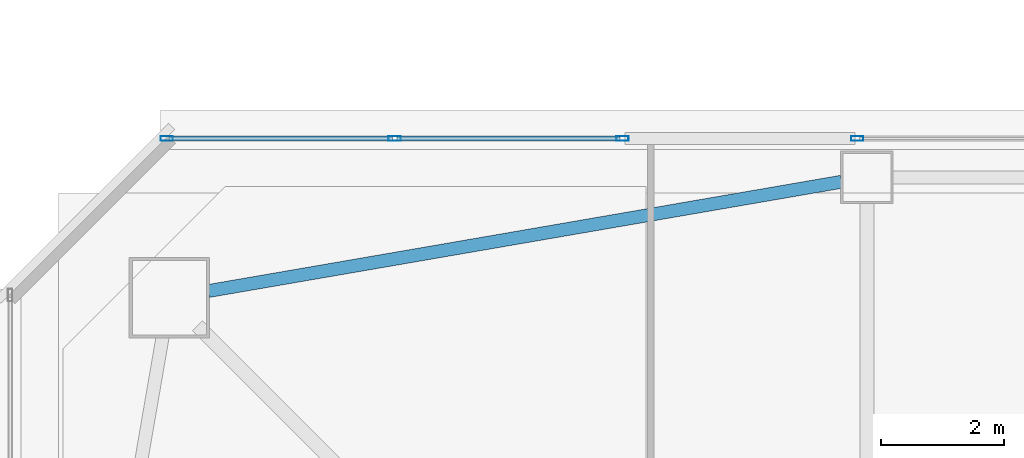
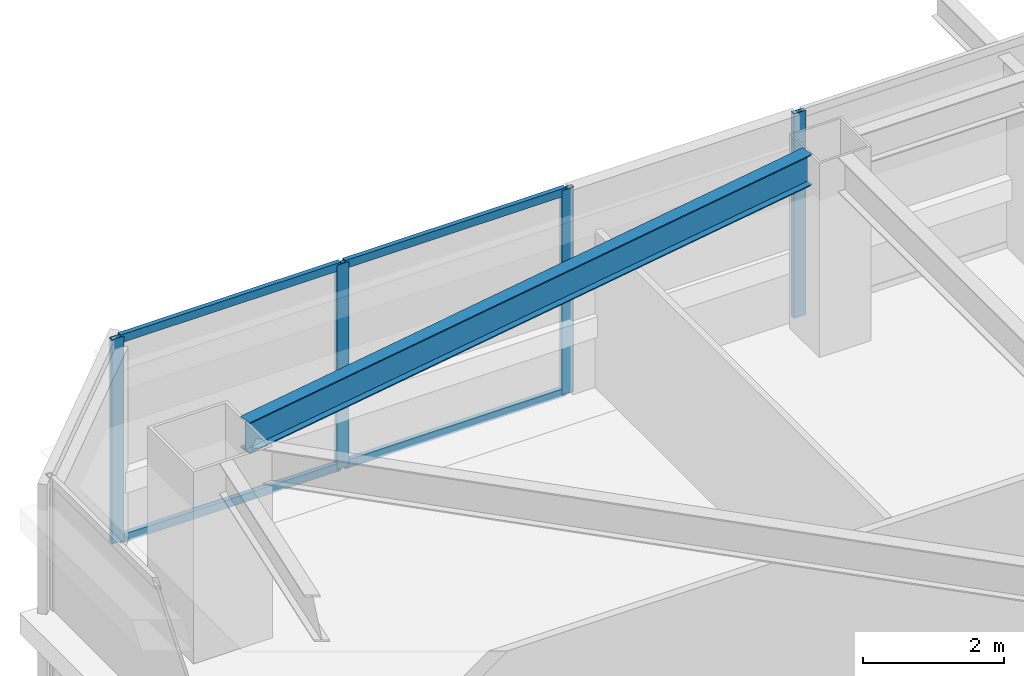
# One storey, part 12 of 46: 8 members, 1 beam, 2 elements without a shape of their own.
"""IFC4 building model written with IfcOpenShell, lengths in metres."""

from ifc_helpers import new_model, si_unit, direction, frame, origin, origin_2d, place, context, subcontext, project, spatial, hollow_rectangle, i_section, extrude, material, material_profile, profile_set, type_object, element, aggregate, save


model = new_model("IFC4")

# Units and contexts
model_context = context("Model", 3, precision=1e-05, world=origin(), true_north=direction((0.0, 1.0)))
body_context = subcontext(model_context, "Body", "Model", "MODEL_VIEW")
ifc_project = project(units=[si_unit("LENGTHUNIT", "METRE"), si_unit("AREAUNIT", "SQUARE_METRE"), si_unit("VOLUMEUNIT", "CUBIC_METRE"), si_unit("PLANEANGLEUNIT", "RADIAN"), si_unit("MASSUNIT", "GRAM", prefix="KILO")], contexts=[model_context])

# Site, building, storey
site_placement = place(None, origin())
site = spatial("IfcSite", under=ifc_project, at=site_placement, CompositionType="ELEMENT")
building_placement = place(site_placement, origin())
building = spatial("IfcBuilding", under=site, at=building_placement, Name="Tashvorn Skyway Center", CompositionType="ELEMENT")
storey_placement = place(building_placement, frame((0.0, 0.0, 132.14990234375)))
storey = spatial("IfcBuildingStorey", under=building, at=storey_placement, Name="L35", CompositionType="ELEMENT", Elevation=132.14990234375)

# Beam
ifc_material_1 = material(Name="Steel ASTM A992 Grade 50", Category="steel")
ifc_material_profile_1 = material_profile(ifc_material_1, i_section(OverallWidth=0.2109375, OverallDepth=0.5390625, WebThickness=0.01171875, FlangeThickness=0.018798828125, at=origin_2d()), Name="W21X73")
ifc_profile_set_1 = profile_set([ifc_material_profile_1], Name="Steel ASTM A992 Grade 50")
beam_type = type_object("IfcBeamType", Name="BM-SPANDREL-W21X73", PredefinedType="SPANDREL", material=ifc_profile_set_1)
beam_placement = place(storey_placement, frame((36.18603515625, 50.57861328125, 3.1005859375), z_axis=(-0.985432458462, -0.170067250846, 0.0), x_axis=(0.170067250846, -0.985432458462, 0.0)))
element("IfcBeam", 1, at=beam_placement, inside=storey, type_object=beam_type, Name="Tower 1 L35 Spandrel Beam 09", PredefinedType="SPANDREL", context=body_context, shape_type="SweptSolid", body=[
    extrude(i_section(OverallWidth=0.2109375, OverallDepth=0.5390625, WebThickness=0.01171875, FlangeThickness=0.018798828125, at=origin_2d()), origin(), (0.0, 0.0, 1.0), 10.402099609375),
])

# Curtain wall, members
ifc_material_2 = material(Name="Thermally broken bronze-anodized aluminium 6063-T6", Category="aluminium")
curtain_wall_type = type_object("IfcCurtainWallType", Name="CW-CW-Z3", PredefinedType="NOTDEFINED", material=ifc_material_2)
curtain_wall_1_placement = place(storey_placement, origin())
curtain_wall_1 = element("IfcCurtainWall", 2, at=curtain_wall_1_placement, inside=storey, type_object=curtain_wall_type, Name="Tower 1 L35 North Unitised Curtain Wall Glazing Group 1", PredefinedType="NOTDEFINED")
ifc_material_profile_2 = material_profile(ifc_material_2, hollow_rectangle(XDim=0.074951171875, YDim=0.199951171875, WallThickness=0.00439453125, at=origin_2d()), Name="ALU-MULL-75x200")
ifc_profile_set_2 = profile_set([ifc_material_profile_2], Name="Thermally broken bronze-anodized aluminium 6063-T6")
member_type_1 = type_object("IfcMemberType", Name="CWM-CW-Z3", PredefinedType="MULLION", material=ifc_profile_set_2)
member_1_placement = place(storey_placement, frame((25.257568359375, 51.280029296875, 0.0), z_axis=(0.0, 0.0, 1.0), x_axis=(0.0, 1.0, 0.0)))
member_1 = element("IfcMember", 3, at=member_1_placement, type_object=member_type_1, Name="CW-Z3 mullion 1", PredefinedType="MULLION", context=body_context, shape_type="SweptSolid", body=[
    extrude(hollow_rectangle(XDim=0.074951171875, YDim=0.199951171875, WallThickness=0.00439453125, at=origin_2d()), origin(), (0.0, 0.0, 1.0), 3.550048828125),
])
member_2_placement = place(storey_placement, frame((28.948974609375, 51.280029296875, 0.0), z_axis=(0.0, 0.0, 1.0), x_axis=(0.0, 1.0, 0.0)))
member_2 = element("IfcMember", 4, at=member_2_placement, type_object=member_type_1, Name="CW-Z3 mullion 2", PredefinedType="MULLION", context=body_context, shape_type="SweptSolid", body=[
    extrude(hollow_rectangle(XDim=0.074951171875, YDim=0.199951171875, WallThickness=0.00439453125, at=origin_2d()), origin(), (0.0, 0.0, 1.0), 3.550048828125),
])
member_3_placement = place(storey_placement, frame((32.640380859375, 51.280029296875, 0.0), z_axis=(0.0, 0.0, 1.0), x_axis=(0.0, 1.0, 0.0)))
member_3 = element("IfcMember", 5, at=member_3_placement, type_object=member_type_1, Name="CW-Z3 mullion 3", PredefinedType="MULLION", context=body_context, shape_type="SweptSolid", body=[
    extrude(hollow_rectangle(XDim=0.074951171875, YDim=0.199951171875, WallThickness=0.00439453125, at=origin_2d()), origin(), (0.0, 0.0, 1.0), 3.550048828125),
])

# Curtain wall, member
curtain_wall_2_placement = place(storey_placement, origin())
curtain_wall_2 = element("IfcCurtainWall", 6, at=curtain_wall_2_placement, inside=storey, type_object=curtain_wall_type, Name="Tower 1 L35 North Unitised Curtain Wall Glazing Group 2", PredefinedType="NOTDEFINED")
member_4_placement = place(storey_placement, frame((36.444091796875, 51.280029296875, 0.0), z_axis=(0.0, 0.0, 1.0), x_axis=(0.0, 1.0, 0.0)))
member_4 = element("IfcMember", 7, at=member_4_placement, type_object=member_type_1, Name="CW-Z3 mullion 1", PredefinedType="MULLION", context=body_context, shape_type="SweptSolid", body=[
    extrude(hollow_rectangle(XDim=0.074951171875, YDim=0.199951171875, WallThickness=0.00439453125, at=origin_2d()), origin(), (0.0, 0.0, 1.0), 3.550048828125),
])
aggregate(curtain_wall_2, [member_4])

# Member
ifc_material_profile_3 = material_profile(ifc_material_2, hollow_rectangle(XDim=0.074951171875, YDim=0.139892578125, WallThickness=0.004150390625, at=origin_2d()), Name="ALU-TRAN-75x140")
ifc_profile_set_3 = profile_set([ifc_material_profile_3], Name="Thermally broken bronze-anodized aluminium 6063-T6")
member_type_2 = type_object("IfcMemberType", Name="CWT-CW-Z3", PredefinedType="USERDEFINED", material=ifc_profile_set_3)
member_5_placement = place(storey_placement, frame((25.294921875, 51.280029296875, 0.03759765625), z_axis=(1.0, 0.0, 0.0), x_axis=(0.0, 1.0, 0.0)))
member_5 = element("IfcMember", 8, at=member_5_placement, type_object=member_type_2, Name="CW-Z3 transom 1.1", ObjectType="TRANSOM", PredefinedType="USERDEFINED", context=body_context, shape_type="SweptSolid", body=[
    extrude(hollow_rectangle(XDim=0.074951171875, YDim=0.139892578125, WallThickness=0.004150390625, at=origin_2d()), origin(), (0.0, 0.0, 1.0), 3.616455078125),
])

member_6_placement = place(storey_placement, frame((25.294921875, 51.280029296875, 3.5126953125), z_axis=(1.0, 0.0, 0.0), x_axis=(0.0, 1.0, 0.0)))
member_6 = element("IfcMember", 9, at=member_6_placement, type_object=member_type_2, Name="CW-Z3 transom 1.2", ObjectType="TRANSOM", PredefinedType="USERDEFINED", context=body_context, shape_type="SweptSolid", body=[
    extrude(hollow_rectangle(XDim=0.074951171875, YDim=0.139892578125, WallThickness=0.004150390625, at=origin_2d()), origin(), (0.0, 0.0, 1.0), 3.616455078125),
])

member_7_placement = place(storey_placement, frame((28.986328125, 51.280029296875, 0.03759765625), z_axis=(1.0, 0.0, 0.0), x_axis=(0.0, 1.0, 0.0)))
member_7 = element("IfcMember", 10, at=member_7_placement, type_object=member_type_2, Name="CW-Z3 transom 2.1", ObjectType="TRANSOM", PredefinedType="USERDEFINED", context=body_context, shape_type="SweptSolid", body=[
    extrude(hollow_rectangle(XDim=0.074951171875, YDim=0.139892578125, WallThickness=0.004150390625, at=origin_2d()), origin(), (0.0, 0.0, 1.0), 3.616455078125),
])

member_8_placement = place(storey_placement, frame((28.986328125, 51.280029296875, 3.5126953125), z_axis=(1.0, 0.0, 0.0), x_axis=(0.0, 1.0, 0.0)))
member_8 = element("IfcMember", 11, at=member_8_placement, type_object=member_type_2, Name="CW-Z3 transom 2.2", ObjectType="TRANSOM", PredefinedType="USERDEFINED", context=body_context, shape_type="SweptSolid", body=[
    extrude(hollow_rectangle(XDim=0.074951171875, YDim=0.139892578125, WallThickness=0.004150390625, at=origin_2d()), origin(), (0.0, 0.0, 1.0), 3.616455078125),
])

aggregate(curtain_wall_1, [member_1, member_2, member_3, member_5, member_6, member_7, member_8])

save(model, "model.ifc")
